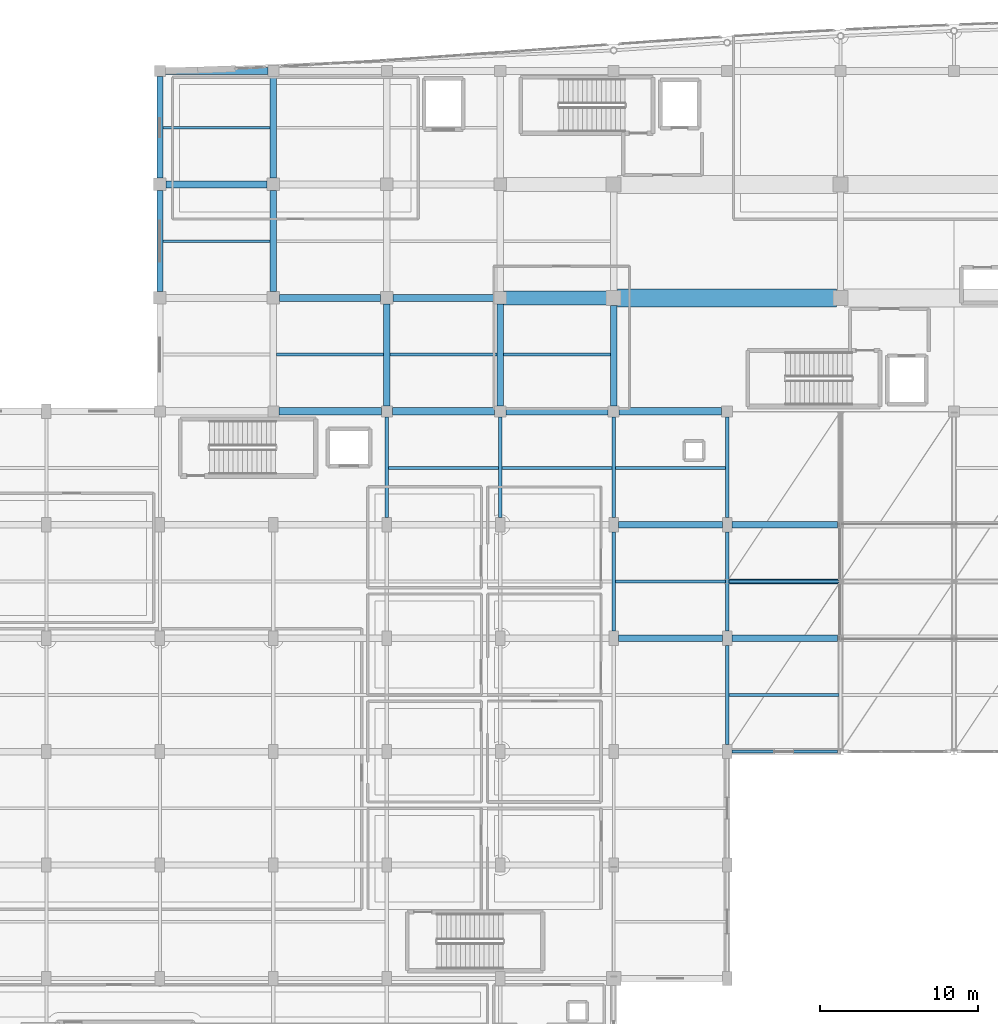
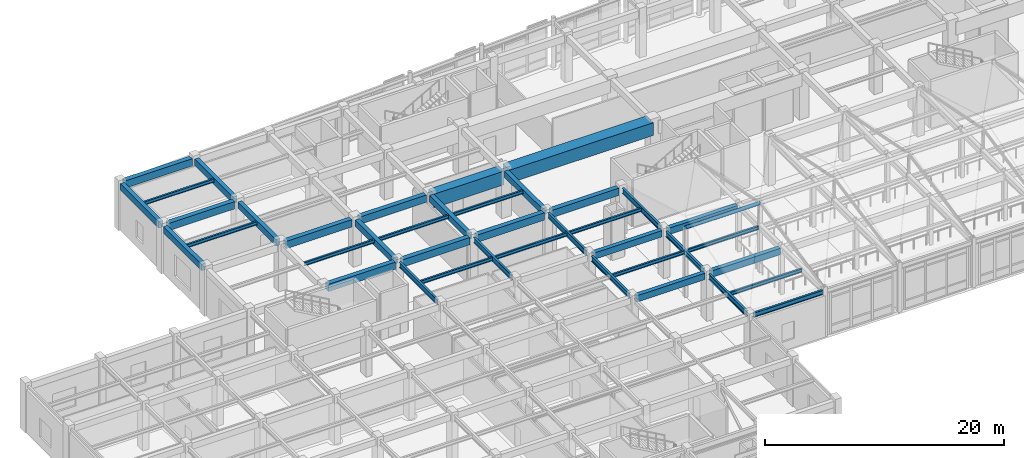
# One storey, part 25 of 117: 40 beams, 1 member.
"""IFC4 building model written with IfcOpenShell, lengths in metres."""

from ifc_helpers import new_model, si_unit, direction, frame, origin, origin_2d, place, context, subcontext, project, spatial, rectangle, hollow_circle, i_section, extrude, material, material_profile, profile_set, type_object, element, save


model = new_model("IFC4")

# Units and contexts
model_context = context("Model", 3, precision=1e-05, world=origin(), true_north=direction((0.0, 1.0)))
body_context = subcontext(model_context, "Body", "Model", "MODEL_VIEW")
ifc_project = project(units=[si_unit("LENGTHUNIT", "METRE"), si_unit("AREAUNIT", "SQUARE_METRE"), si_unit("VOLUMEUNIT", "CUBIC_METRE"), si_unit("PLANEANGLEUNIT", "RADIAN"), si_unit("MASSUNIT", "GRAM", prefix="KILO")], contexts=[model_context])

# Site, building, storey
site_placement = place(None, origin())
site = spatial("IfcSite", under=ifc_project, at=site_placement, CompositionType="ELEMENT")
building_placement = place(site_placement, origin())
building = spatial("IfcBuilding", under=site, at=building_placement, Name="Carrowvane Square Congress Hotel", CompositionType="ELEMENT")
storey_placement = place(building_placement, frame((0.0, 0.0, 5.39990234375)))
storey = spatial("IfcBuildingStorey", under=building, at=storey_placement, Name="L01", CompositionType="ELEMENT", Elevation=5.39990234375)

# Beams
ifc_material_1 = material(Name="Concrete C35/45", Category="concrete")
ifc_material_profile_1 = material_profile(ifc_material_1, rectangle(XDim=0.39990234375, YDim=0.64990234375, at=origin_2d()), Name="RC 400x650")
ifc_profile_set_1 = profile_set([ifc_material_profile_1], Name="Concrete C35/45")
beam_type_1 = type_object("IfcBeamType", Name="BM-RC-400x650", PredefinedType="BEAM", material=ifc_profile_set_1)
beam_1_placement = place(storey_placement, frame((62.300048828125, 77.39990234375, 4.455078125), z_axis=(1.0, 0.0, 0.0), x_axis=(0.0, 1.0, 0.0)))
element("IfcBeam", 1, at=beam_1_placement, inside=storey, type_object=beam_type_1, Name="L02 girder L/8-9", PredefinedType="BEAM", context=body_context, shape_type="SweptSolid", body=[
    extrude(rectangle(XDim=0.39990234375, YDim=0.64990234375, at=origin_2d()), origin(), (0.0, 0.0, 1.0), 6.599853515625),
])
beam_2_placement = place(storey_placement, frame((69.5, 77.39990234375, 4.455078125), z_axis=(1.0, 0.0, 0.0), x_axis=(0.0, 1.0, 0.0)))
element("IfcBeam", 2, at=beam_2_placement, inside=storey, type_object=beam_type_1, Name="L02 girder L/9-10", PredefinedType="BEAM", context=body_context, shape_type="SweptSolid", body=[
    extrude(rectangle(XDim=0.39990234375, YDim=0.64990234375, at=origin_2d()), origin(), (0.0, 0.0, 1.0), 6.71484375),
])
beam_3_placement = place(storey_placement, frame((62.300048828125, 84.60009765625, 4.455078125), z_axis=(1.0, 0.0, 0.0), x_axis=(0.0, 1.0, 0.0)))
element("IfcBeam", 3, at=beam_3_placement, inside=storey, type_object=beam_type_1, Name="L02 girder M/8-9", PredefinedType="BEAM", context=body_context, shape_type="SweptSolid", body=[
    extrude(rectangle(XDim=0.39990234375, YDim=0.64990234375, at=origin_2d()), origin(), (0.0, 0.0, 1.0), 6.599853515625),
])
beam_4_placement = place(storey_placement, frame((69.5, 84.60009765625, 4.455078125), z_axis=(1.0, 0.0, 0.0), x_axis=(0.0, 1.0, 0.0)))
element("IfcBeam", 4, at=beam_4_placement, inside=storey, type_object=beam_type_1, Name="L02 girder M/9-10", PredefinedType="BEAM", context=body_context, shape_type="SweptSolid", body=[
    extrude(rectangle(XDim=0.39990234375, YDim=0.64990234375, at=origin_2d()), origin(), (0.0, 0.0, 1.0), 6.71484375),
])
beam_5_placement = place(storey_placement, frame((33.199951171875, 99.39990234375, 4.455078125), z_axis=(0.0, 1.0, 0.0), x_axis=(-1.0, 0.0, 0.0)))
element("IfcBeam", 5, at=beam_5_placement, inside=storey, type_object=beam_type_1, Name="L02 girder 4/P-Q", PredefinedType="BEAM", context=body_context, shape_type="SweptSolid", body=[
    extrude(rectangle(XDim=0.39990234375, YDim=0.64990234375, at=origin_2d()), origin(), (0.0, 0.0, 1.0), 6.400146484375),
])
beam_6_placement = place(storey_placement, frame((33.199951171875, 106.60009765625, 4.455078125), z_axis=(0.0, 1.0, 0.0), x_axis=(-1.0, 0.0, 0.0)))
element("IfcBeam", 6, at=beam_6_placement, inside=storey, type_object=beam_type_1, Name="L02 girder 4/Q-R", PredefinedType="BEAM", context=body_context, shape_type="SweptSolid", body=[
    extrude(rectangle(XDim=0.39990234375, YDim=0.64990234375, at=origin_2d()), origin(), (0.0, 0.0, 1.0), 6.449951171875),
])
beam_7_placement = place(storey_placement, frame((40.39990234375, 99.39990234375, 4.455078125), z_axis=(0.0, 1.0, 0.0), x_axis=(-1.0, 0.0, 0.0)))
element("IfcBeam", 7, at=beam_7_placement, inside=storey, type_object=beam_type_1, Name="L02 girder 5/P-Q", PredefinedType="BEAM", context=body_context, shape_type="SweptSolid", body=[
    extrude(rectangle(XDim=0.39990234375, YDim=0.64990234375, at=origin_2d()), origin(), (0.0, 0.0, 1.0), 6.400146484375),
])
beam_8_placement = place(storey_placement, frame((40.39990234375, 106.60009765625, 4.455078125), z_axis=(0.0, 1.0, 0.0), x_axis=(-1.0, 0.0, 0.0)))
element("IfcBeam", 8, at=beam_8_placement, inside=storey, type_object=beam_type_1, Name="L02 girder 5/Q-R", PredefinedType="BEAM", context=body_context, shape_type="SweptSolid", body=[
    extrude(rectangle(XDim=0.39990234375, YDim=0.64990234375, at=origin_2d()), origin(), (0.0, 0.0, 1.0), 6.449951171875),
])
for number, where, z_axis, x_axis, name in (
    (9, (47.60009765625, 92.14990234375, 4.455078125), (0.0, 1.0, 0.0), (-1.0, 0.0, 0.0), "L02 girder 6/N-P"),
    (10, (54.800048828125, 92.14990234375, 4.455078125), (0.0, 1.0, 0.0), (-1.0, 0.0, 0.0), "L02 girder 7/N-P"),
):
    element("IfcBeam", number, at=place(storey_placement, frame(where, z_axis=z_axis, x_axis=x_axis)), inside=storey, type_object=beam_type_1, Name=name, PredefinedType="BEAM", context=body_context, shape_type="SweptSolid", body=[
        extrude(rectangle(XDim=0.39990234375, YDim=0.64990234375, at=origin_2d()), origin(), (0.0, 0.0, 1.0), 6.4501953125),
    ])
beam_9_placement = place(storey_placement, frame((62.0, 92.14990234375, 4.455078125), z_axis=(0.0, 1.0, 0.0), x_axis=(-1.0, 0.0, 0.0)))
element("IfcBeam", 11, at=beam_9_placement, inside=storey, type_object=beam_type_1, Name="L02 girder 8/N-P", PredefinedType="BEAM", context=body_context, shape_type="SweptSolid", body=[
    extrude(rectangle(XDim=0.39990234375, YDim=0.64990234375, at=origin_2d()), origin(), (0.0, 0.0, 1.0), 6.375),
])
ifc_material_2 = material(Name="Concrete C35/45", Category="concrete")
ifc_material_profile_2 = material_profile(ifc_material_2, rectangle(XDim=0.449951171875, YDim=0.75, at=origin_2d()), Name="RC 450x750")
ifc_profile_set_2 = profile_set([ifc_material_profile_2], Name="Concrete C35/45")
beam_type_2 = type_object("IfcBeamType", Name="BM-RC-450x750", PredefinedType="USERDEFINED", material=ifc_profile_set_2)
for number, where, z_axis, x_axis, name in (
    (12, (40.75, 91.800048828125, 4.405029296875), (1.0, 0.0, 0.0), (0.0, 1.0, 0.0), "L02 girder N/5-6"),
    (13, (47.949951171875, 91.800048828125, 4.405029296875), (1.0, 0.0, 0.0), (0.0, 1.0, 0.0), "L02 girder N/6-7"),
    (14, (55.14990234375, 91.800048828125, 4.405029296875), (1.0, 0.0, 0.0), (0.0, 1.0, 0.0), "L02 girder N/7-8"),
    (15, (62.35009765625, 91.800048828125, 4.405029296875), (1.0, 0.0, 0.0), (0.0, 1.0, 0.0), "L02 girder N/8-9"),
):
    element("IfcBeam", number, at=place(storey_placement, frame(where, z_axis=z_axis, x_axis=x_axis)), inside=storey, type_object=beam_type_2, Name=name, ObjectType="GIRDER", PredefinedType="USERDEFINED", context=body_context, shape_type="SweptSolid", body=[
        extrude(rectangle(XDim=0.449951171875, YDim=0.75, at=origin_2d()), origin(), (0.0, 0.0, 1.0), 6.5),
    ])
for number, where, z_axis, x_axis, name in (
    (16, (40.800048828125, 99.0, 4.405029296875), (1.0, 0.0, 0.0), (0.0, 1.0, 0.0), "L02 girder P/5-6"),
    (17, (48.0, 99.0, 4.405029296875), (1.0, 0.0, 0.0), (0.0, 1.0, 0.0), "L02 girder P/6-7"),
    (18, (33.60009765625, 106.199951171875, 4.405029296875), (1.0, 0.0, 0.0), (0.0, 1.0, 0.0), "L02 girder Q/4-5"),
):
    element("IfcBeam", number, at=place(storey_placement, frame(where, z_axis=z_axis, x_axis=x_axis)), inside=storey, type_object=beam_type_2, Name=name, ObjectType="GIRDER", PredefinedType="USERDEFINED", context=body_context, shape_type="SweptSolid", body=[
        extrude(rectangle(XDim=0.449951171875, YDim=0.75, at=origin_2d()), origin(), (0.0, 0.0, 1.0), 6.39990234375),
    ])
beam_10_placement = place(storey_placement, frame((33.550048828125, 113.39990234375, 4.405029296875), z_axis=(1.0, 0.0, 0.0), x_axis=(0.0, 1.0, 0.0)))
element("IfcBeam", 19, at=beam_10_placement, inside=storey, type_object=beam_type_2, Name="L02 girder R/4-5", ObjectType="GIRDER", PredefinedType="USERDEFINED", context=body_context, shape_type="SweptSolid", body=[
    extrude(rectangle(XDim=0.449951171875, YDim=0.75, at=origin_2d()), origin(), (0.0, 0.0, 1.0), 6.5),
])
ifc_material_3 = material(Name="Steel S355", Category="steel")
ifc_material_profile_3 = material_profile(ifc_material_3, i_section(OverallWidth=0.172119140625, OverallDepth=0.35791015625, WebThickness=0.008056640625, FlangeThickness=0.012939453125, FilletRadius=0.01025390625, at=origin_2d()), Name="UKB 356x171x57")
ifc_profile_set_3 = profile_set([ifc_material_profile_3], Name="Steel S355")
beam_type_3 = type_object("IfcBeamType", Name="BM-ST-UKB356", PredefinedType="JOIST", material=ifc_profile_set_3)
for number, where, z_axis, x_axis, name in (
    (20, (33.39990234375, 102.60009765625, 4.60107421875), (1.0, 0.0, 0.0), (0.0, 1.0, 0.0), "L02 secondary joist 4-5"),
    (21, (33.39990234375, 109.800048828125, 4.60107421875), (1.0, 0.0, 0.0), (0.0, 1.0, 0.0), "L02 secondary joist 4-5"),
):
    element("IfcBeam", number, at=place(storey_placement, frame(where, z_axis=z_axis, x_axis=x_axis)), inside=storey, type_object=beam_type_3, Name=name, PredefinedType="JOIST", context=body_context, shape_type="SweptSolid", body=[
        extrude(i_section(OverallWidth=0.172119140625, OverallDepth=0.35791015625, WebThickness=0.008056640625, FlangeThickness=0.012939453125, FilletRadius=0.01025390625, at=origin_2d()), origin(), (0.0, 0.0, 1.0), 6.800048828125),
    ])
beam_11_placement = place(storey_placement, frame((40.60009765625, 95.39990234375, 4.60107421875), z_axis=(1.0, 0.0, 0.0), x_axis=(0.0, 1.0, 0.0)))
element("IfcBeam", 22, at=beam_11_placement, inside=storey, type_object=beam_type_3, Name="L02 secondary joist 5-6", PredefinedType="JOIST", context=body_context, shape_type="SweptSolid", body=[
    extrude(i_section(OverallWidth=0.172119140625, OverallDepth=0.35791015625, WebThickness=0.008056640625, FlangeThickness=0.012939453125, FilletRadius=0.01025390625, at=origin_2d()), origin(), (0.0, 0.0, 1.0), 6.7998046875),
])
beam_12_placement = place(storey_placement, frame((47.705078125, 88.199951171875, 4.60107421875), z_axis=(1.0, 0.0, 0.0), x_axis=(0.0, 1.0, 0.0)))
element("IfcBeam", 23, at=beam_12_placement, inside=storey, type_object=beam_type_3, Name="L02 secondary joist 6-7", PredefinedType="JOIST", context=body_context, shape_type="SweptSolid", body=[
    extrude(i_section(OverallWidth=0.172119140625, OverallDepth=0.35791015625, WebThickness=0.008056640625, FlangeThickness=0.012939453125, FilletRadius=0.01025390625, at=origin_2d()), origin(), (0.0, 0.0, 1.0), 6.989990234375),
])
beam_13_placement = place(storey_placement, frame((47.800048828125, 95.39990234375, 4.60107421875), z_axis=(1.0, 0.0, 0.0), x_axis=(0.0, 1.0, 0.0)))
element("IfcBeam", 24, at=beam_13_placement, inside=storey, type_object=beam_type_3, Name="L02 secondary joist 6-7", PredefinedType="JOIST", context=body_context, shape_type="SweptSolid", body=[
    extrude(i_section(OverallWidth=0.172119140625, OverallDepth=0.35791015625, WebThickness=0.008056640625, FlangeThickness=0.012939453125, FilletRadius=0.01025390625, at=origin_2d()), origin(), (0.0, 0.0, 1.0), 6.800048828125),
])
beam_14_placement = place(storey_placement, frame((54.905029296875, 88.199951171875, 4.60107421875), z_axis=(1.0, 0.0, 0.0), x_axis=(0.0, 1.0, 0.0)))
element("IfcBeam", 25, at=beam_14_placement, inside=storey, type_object=beam_type_3, Name="L02 secondary joist 7-8", PredefinedType="JOIST", context=body_context, shape_type="SweptSolid", body=[
    extrude(i_section(OverallWidth=0.172119140625, OverallDepth=0.35791015625, WebThickness=0.008056640625, FlangeThickness=0.012939453125, FilletRadius=0.01025390625, at=origin_2d()), origin(), (0.0, 0.0, 1.0), 6.989990234375),
])
beam_15_placement = place(storey_placement, frame((55.0, 95.39990234375, 4.60107421875), z_axis=(1.0, 0.0, 0.0), x_axis=(0.0, 1.0, 0.0)))
element("IfcBeam", 26, at=beam_15_placement, inside=storey, type_object=beam_type_3, Name="L02 secondary joist 7-8", PredefinedType="JOIST", context=body_context, shape_type="SweptSolid", body=[
    extrude(i_section(OverallWidth=0.172119140625, OverallDepth=0.35791015625, WebThickness=0.008056640625, FlangeThickness=0.012939453125, FilletRadius=0.01025390625, at=origin_2d()), origin(), (0.0, 0.0, 1.0), 6.800048828125),
])
for number, where, z_axis, x_axis, name in (
    (27, (62.10498046875, 81.0, 4.60107421875), (1.0, 0.0, 0.0), (0.0, 1.0, 0.0), "L02 secondary joist 8-9"),
    (28, (62.10498046875, 88.199951171875, 4.60107421875), (1.0, 0.0, 0.0), (0.0, 1.0, 0.0), "L02 secondary joist 8-9"),
    (29, (69.304931640625, 73.800048828125, 4.60107421875), (1.0, 0.0, 0.0), (0.0, 1.0, 0.0), "L02 secondary joist 9-10"),
    (30, (69.304931640625, 81.0, 4.60107421875), (1.0, 0.0, 0.0), (0.0, 1.0, 0.0), "L02 secondary joist 9-10"),
):
    element("IfcBeam", number, at=place(storey_placement, frame(where, z_axis=z_axis, x_axis=x_axis)), inside=storey, type_object=beam_type_3, Name=name, PredefinedType="JOIST", context=body_context, shape_type="SweptSolid", body=[
        extrude(i_section(OverallWidth=0.172119140625, OverallDepth=0.35791015625, WebThickness=0.008056640625, FlangeThickness=0.012939453125, FilletRadius=0.01025390625, at=origin_2d()), origin(), (0.0, 0.0, 1.0), 6.989990234375),
    ])
ifc_material_4 = material(Name="Steel S355", Category="steel")
ifc_material_profile_4 = material_profile(ifc_material_4, i_section(OverallWidth=0.19140625, OverallDepth=0.4599609375, WebThickness=0.010009765625, FlangeThickness=0.01611328125, FilletRadius=0.01025390625, at=origin_2d()), Name="UKB 457x191x82")
ifc_profile_set_4 = profile_set([ifc_material_profile_4], Name="Steel S355")
beam_type_4 = type_object("IfcBeamType", Name="BM-ST-UKB457", PredefinedType="SPANDREL", material=ifc_profile_set_4)
beam_16_placement = place(storey_placement, frame((69.5, 70.199951171875, 4.550048828125), z_axis=(1.0, 0.0, 0.0), x_axis=(0.0, 1.0, 0.0)))
element("IfcBeam", 31, at=beam_16_placement, inside=storey, type_object=beam_type_4, Name="L02 girder K/9-10", PredefinedType="SPANDREL", context=body_context, shape_type="SweptSolid", body=[
    extrude(i_section(OverallWidth=0.19140625, OverallDepth=0.4599609375, WebThickness=0.010009765625, FlangeThickness=0.01611328125, FilletRadius=0.01025390625, at=origin_2d()), origin(), (0.0, 0.0, 1.0), 6.71484375),
])
ifc_material_5 = material(Name="Steel S355", Category="steel")
ifc_material_profile_5 = material_profile(ifc_material_5, i_section(OverallWidth=0.2099609375, OverallDepth=0.53662109375, WebThickness=0.0107421875, FlangeThickness=0.017333984375, FilletRadius=0.0126953125, at=origin_2d()), Name="UKB 533x210x101")
ifc_profile_set_5 = profile_set([ifc_material_profile_5], Name="Steel S355")
beam_type_5 = type_object("IfcBeamType", Name="BM-ST-UKB533", PredefinedType="USERDEFINED", material=ifc_profile_set_5)
for number, where, z_axis, x_axis, name in (
    (32, (47.60009765625, 85.050048828125, 4.51171875), (0.0, 1.0, 0.0), (-1.0, 0.0, 0.0), "L02 girder 6/M-N"),
    (33, (54.800048828125, 85.050048828125, 4.51171875), (0.0, 1.0, 0.0), (-1.0, 0.0, 0.0), "L02 girder 7/M-N"),
):
    element("IfcBeam", number, at=place(storey_placement, frame(where, z_axis=z_axis, x_axis=x_axis)), inside=storey, type_object=beam_type_5, Name=name, ObjectType="GIRDER", PredefinedType="USERDEFINED", context=body_context, shape_type="SweptSolid", body=[
        extrude(i_section(OverallWidth=0.2099609375, OverallDepth=0.53662109375, WebThickness=0.0107421875, FlangeThickness=0.017333984375, FilletRadius=0.0126953125, at=origin_2d()), origin(), (0.0, 0.0, 1.0), 6.39990234375),
    ])
beam_17_placement = place(storey_placement, frame((62.0, 77.85009765625, 4.51171875), z_axis=(0.0, 1.0, 0.0), x_axis=(-1.0, 0.0, 0.0)))
element("IfcBeam", 34, at=beam_17_placement, inside=storey, type_object=beam_type_5, Name="L02 girder 8/L-M", ObjectType="GIRDER", PredefinedType="USERDEFINED", context=body_context, shape_type="SweptSolid", body=[
    extrude(i_section(OverallWidth=0.2099609375, OverallDepth=0.53662109375, WebThickness=0.0107421875, FlangeThickness=0.017333984375, FilletRadius=0.0126953125, at=origin_2d()), origin(), (0.0, 0.0, 1.0), 6.2998046875),
])
beam_18_placement = place(storey_placement, frame((62.0, 85.050048828125, 4.51171875), z_axis=(0.0, 1.0, 0.0), x_axis=(-1.0, 0.0, 0.0)))
element("IfcBeam", 35, at=beam_18_placement, inside=storey, type_object=beam_type_5, Name="L02 girder 8/M-N", ObjectType="GIRDER", PredefinedType="USERDEFINED", context=body_context, shape_type="SweptSolid", body=[
    extrude(i_section(OverallWidth=0.2099609375, OverallDepth=0.53662109375, WebThickness=0.0107421875, FlangeThickness=0.017333984375, FilletRadius=0.0126953125, at=origin_2d()), origin(), (0.0, 0.0, 1.0), 6.39990234375),
])
beam_19_placement = place(storey_placement, frame((69.199951171875, 70.64990234375, 4.51171875), z_axis=(0.0, 1.0, 0.0), x_axis=(-1.0, 0.0, 0.0)))
element("IfcBeam", 36, at=beam_19_placement, inside=storey, type_object=beam_type_5, Name="L02 girder 9/K-L", ObjectType="GIRDER", PredefinedType="USERDEFINED", context=body_context, shape_type="SweptSolid", body=[
    extrude(i_section(OverallWidth=0.2099609375, OverallDepth=0.53662109375, WebThickness=0.0107421875, FlangeThickness=0.017333984375, FilletRadius=0.0126953125, at=origin_2d()), origin(), (0.0, 0.0, 1.0), 6.300048828125),
])
beam_20_placement = place(storey_placement, frame((69.199951171875, 77.85009765625, 4.51171875), z_axis=(0.0, 1.0, 0.0), x_axis=(-1.0, 0.0, 0.0)))
element("IfcBeam", 37, at=beam_20_placement, inside=storey, type_object=beam_type_5, Name="L02 girder 9/L-M", ObjectType="GIRDER", PredefinedType="USERDEFINED", context=body_context, shape_type="SweptSolid", body=[
    extrude(i_section(OverallWidth=0.2099609375, OverallDepth=0.53662109375, WebThickness=0.0107421875, FlangeThickness=0.017333984375, FilletRadius=0.0126953125, at=origin_2d()), origin(), (0.0, 0.0, 1.0), 6.2998046875),
])
beam_21_placement = place(storey_placement, frame((69.199951171875, 85.050048828125, 4.51171875), z_axis=(0.0, 1.0, 0.0), x_axis=(-1.0, 0.0, 0.0)))
element("IfcBeam", 38, at=beam_21_placement, inside=storey, type_object=beam_type_5, Name="L02 girder 9/M-N", ObjectType="GIRDER", PredefinedType="USERDEFINED", context=body_context, shape_type="SweptSolid", body=[
    extrude(i_section(OverallWidth=0.2099609375, OverallDepth=0.53662109375, WebThickness=0.0107421875, FlangeThickness=0.017333984375, FilletRadius=0.0126953125, at=origin_2d()), origin(), (0.0, 0.0, 1.0), 6.39990234375),
])

# Member
ifc_material_6 = material(Name="Steel S355", Category="steel")
ifc_material_profile_6 = material_profile(ifc_material_6, hollow_circle(Radius=0.161865234375, WallThickness=0.01611328125, at=origin_2d()), Name="CHS 323.9x16")
ifc_profile_set_6 = profile_set([ifc_material_profile_6], Name="Steel S355")
member_type = type_object("IfcMemberType", Name="MEM-TC-CHS324", PredefinedType="CHORD", material=ifc_profile_set_6)
member_placement = place(storey_placement, frame((69.199951171875, 81.0, 7.045654296875), z_axis=(1.0, 0.0, 0.0), x_axis=(0.0, 1.0, 0.0)))
element("IfcMember", 39, at=member_placement, inside=storey, type_object=member_type, Name="Public passage ridge chord 1", PredefinedType="CHORD", context=body_context, shape_type="SweptSolid", body=[
    extrude(hollow_circle(Radius=0.161865234375, WallThickness=0.01611328125, at=origin_2d()), origin(), (0.0, 0.0, 1.0), 7.199951171875),
])

# Beams
ifc_material_7 = material(Name="Concrete C40/50", Category="concrete")
ifc_material_profile_7 = material_profile(ifc_material_7, rectangle(XDim=1.14990234375, YDim=1.320068359375, at=origin_2d()), Name="RC 1150x1320")
ifc_profile_set_7 = profile_set([ifc_material_profile_7], Name="Concrete C40/50")
beam_type_6 = type_object("IfcBeamType", Name="TG-RC-1000x1650", PredefinedType="USERDEFINED", material=ifc_profile_set_7)
beam_22_placement = place(storey_placement, frame((62.25, 99.0, 4.1201171875), z_axis=(1.0, 0.0, 0.0), x_axis=(0.0, 1.0, 0.0)))
element("IfcBeam", 40, at=beam_22_placement, inside=storey, type_object=beam_type_6, Name="L02 transfer girder 8-10/P", ObjectType="GIRDER", PredefinedType="USERDEFINED", context=body_context, shape_type="SweptSolid", body=[
    extrude(rectangle(XDim=1.14990234375, YDim=1.320068359375, at=origin_2d()), origin(), (0.0, 0.0, 1.0), 13.89990234375),
])
ifc_material_8 = material(Name="Concrete C40/50", Category="concrete")
ifc_material_profile_8 = material_profile(ifc_material_8, rectangle(XDim=0.89990234375, YDim=1.39990234375, at=origin_2d()), Name="RC 900x1400")
ifc_profile_set_8 = profile_set([ifc_material_profile_8], Name="Concrete C40/50")
beam_type_7 = type_object("IfcBeamType", Name="TG-RC-900x1400", PredefinedType="USERDEFINED", material=ifc_profile_set_8)
beam_23_placement = place(storey_placement, frame((55.0, 99.0, 4.080078125), z_axis=(1.0, 0.0, 0.0), x_axis=(0.0, 1.0, 0.0)))
element("IfcBeam", 41, at=beam_23_placement, inside=storey, type_object=beam_type_7, Name="L02 transition girder 7-8/P", ObjectType="GIRDER", PredefinedType="USERDEFINED", context=body_context, shape_type="SweptSolid", body=[
    extrude(rectangle(XDim=0.89990234375, YDim=1.39990234375, at=origin_2d()), origin(), (0.0, 0.0, 1.0), 6.75),
])

save(model, "model.ifc")
